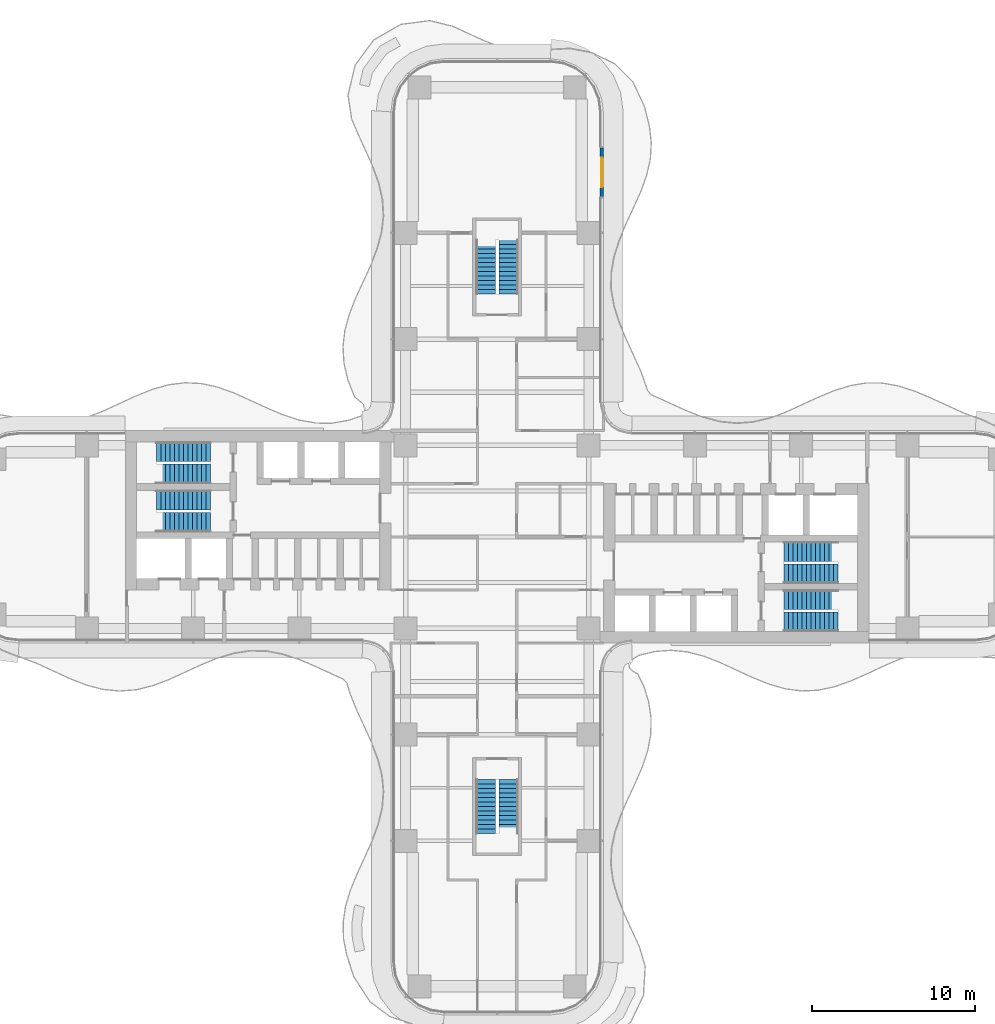
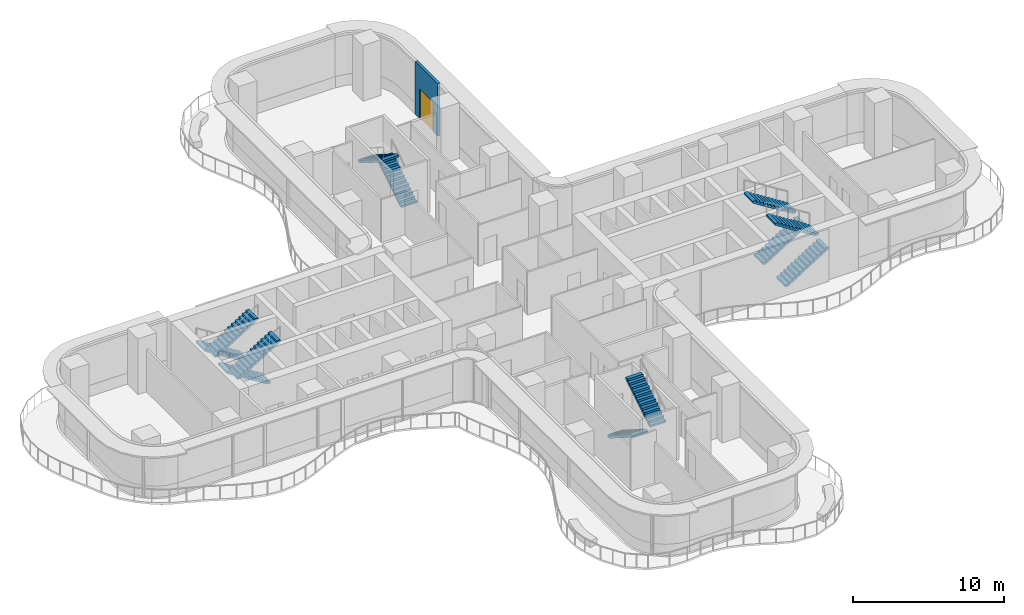
# One storey, part 20 of 22: 12 stair flights, 1 door, 1 wall, 1 opening, 6 elements without a shape of their own.
"""IFC4 building model written with IfcOpenShell, lengths in metres."""

from ifc_helpers import new_model, si_unit, direction, frame, frame_2d, origin, place, context, subcontext, project, spatial, polyline, rectangle, outline, extrude, source, transform, mapped, material, layer, layer_set, type_object, element, fill, aggregate, save


model = new_model("IFC4")

# Units and contexts
model_context = context("Model", 3, precision=1e-05, world=origin(), true_north=direction((0.0, 1.0)))
body_context = subcontext(model_context, "Body", "Model", "MODEL_VIEW")
ifc_project = project(units=[si_unit("LENGTHUNIT", "METRE"), si_unit("AREAUNIT", "SQUARE_METRE"), si_unit("VOLUMEUNIT", "CUBIC_METRE"), si_unit("PLANEANGLEUNIT", "RADIAN"), si_unit("MASSUNIT", "GRAM", prefix="KILO")], contexts=[model_context])

# Site, building, storey
site_placement = place(None, origin())
site = spatial("IfcSite", under=ifc_project, at=site_placement, CompositionType="ELEMENT")
building_placement = place(site_placement, origin())
building = spatial("IfcBuilding", under=site, at=building_placement, Name="Trellis Farm Tower", CompositionType="ELEMENT")
storey_placement = place(building_placement, frame((0.0, 0.0, 47.5)))
storey = spatial("IfcBuildingStorey", under=building, at=storey_placement, Name="L09", CompositionType="ELEMENT", Elevation=47.5)

# Wall, opening, door
ifc_material_1 = material(Name="Sandstone faced insulated wall", Category="masonry")
ifc_layer = layer(ifc_material_1, 0.199951171875)
ifc_layer_set = layer_set([ifc_layer], Name="EXTERNAL INFILL WALL 200")
wall_type = type_object("IfcWallType", Name="EXTERNAL INFILL WALL 200", PredefinedType="SOLIDWALL", material=ifc_layer_set)
shared_shape_1 = source(origin(), body_context, "Body", "SweptSolid", [
    extrude(rectangle(XDim=3.0, YDim=0.199951171875, at=frame_2d((1.5, 0.0))), origin(), (0.0, 0.0, 1.0), 4.25),
])
wall_placement = place(storey_placement, frame((6.39990234375, 20.800048828125, 0.0), z_axis=(0.0, 0.0, 1.0), x_axis=(0.0, 1.0, 0.0)))
wall = element("IfcWall", 1, at=wall_placement, inside=storey, type_object=wall_type, Name="EW1 01", PredefinedType="SOLIDWALL", context=body_context, shape_type="MappedRepresentation", body=[
    mapped(shared_shape_1, transform((0.0, 0.0, 0.0))),
])
shared_shape_2 = source(origin(), body_context, "Body", "SweptSolid", [
    extrude(rectangle(XDim=1.800048828125, YDim=2.39990234375, at=frame_2d((0.89990234375, 1.199951171875))), frame((0.0, 0.110107421875, 0.0), z_axis=(0.0, -1.0, 0.0), x_axis=(1.0, 0.0, 0.0)), (0.0, 0.0, 1.0), 0.22021484375),
])
opening_placement = place(wall_placement, frame((0.60009765625, 0.0, 0.0)))
opening = element("IfcOpeningElement", 2, at=opening_placement, cuts=wall, Name="Opening ED1", PredefinedType="OPENING", context=body_context, shape_type="MappedRepresentation", body=[
    mapped(shared_shape_2, transform((0.0, 0.0, 0.0))),
])
ifc_material_2 = material(Name="Aluminium framed glazed door", Category="aluminium")
door_type = type_object("IfcDoorType", Name="BALCONY DOOR 1800x2400", OperationType="DOUBLE_DOOR_SINGLE_SWING", PredefinedType="DOOR", material=ifc_material_2)
shared_shape_3 = source(origin(), body_context, "Body", "SweptSolid", [
    extrude(rectangle(XDim=1.800048828125, YDim=2.39990234375, at=frame_2d((0.89990234375, 1.199951171875))), frame((0.0, 0.02490234375, 0.0), z_axis=(0.0, -1.0, 0.0), x_axis=(1.0, 0.0, 0.0)), (0.0, 0.0, 1.0), 0.050048828125),
])
door_placement = place(opening_placement, origin())
door = element("IfcDoor", 3, at=door_placement, inside=storey, type_object=door_type, Name="Balcony door", OperationType="DOUBLE_DOOR_SINGLE_SWING", OverallHeight=2.39990234375, OverallWidth=1.800048828125, PredefinedType="DOOR", context=body_context, shape_type="MappedRepresentation", body=[
    mapped(shared_shape_3, transform((0.0, 0.0, 0.0))),
])
fill(opening, door)

# Stair, stair flights
ifc_material_3 = material(Name="Concrete C50/60", Category="concrete")
stair_type = type_object("IfcStairType", Name="CORE EXIT STAIR 26 RISERS 173 MM", PredefinedType="HALF_TURN_STAIR", material=ifc_material_3)
placement = place(storey_placement, origin())
stair_1 = element("IfcStair", 4, at=placement, inside=storey, type_object=stair_type, Name="Exit stair N", PredefinedType="HALF_TURN_STAIR")
stair_flight_type = type_object("IfcStairFlightType", Name="STAIR FLIGHT 13 RISERS 173 MM", PredefinedType="STRAIGHT", material=ifc_material_3)
shared_shape_4 = source(origin(), body_context, "Body", "SweptSolid", [
    extrude(outline(polyline([(0.0, 0.0), (0.0, 0.173095703125), (0.27490234375, 0.173095703125), (0.27490234375, 0.34619140625), (0.550048828125, 0.34619140625), (0.550048828125, 0.519287109375), (0.824951171875, 0.519287109375), (0.824951171875, 0.6923828125), (1.10009765625, 0.6923828125), (1.10009765625, 0.865478515625), (1.375, 0.865478515625), (1.375, 1.03857421875), (1.64990234375, 1.03857421875), (1.64990234375, 1.21142578125), (1.925048828125, 1.21142578125), (1.925048828125, 1.384521484375), (2.199951171875, 1.384521484375), (2.199951171875, 1.5576171875), (2.47509765625, 1.5576171875), (2.47509765625, 1.730712890625), (2.75, 1.730712890625), (2.75, 1.90380859375), (3.02490234375, 1.90380859375), (3.02490234375, 2.076904296875), (3.300048828125, 2.076904296875), (3.300048828125, 2.25), (3.300048828125, 1.92333984375), (0.243896484375, 0.0), (0.0, 0.0)])), frame((0.0, 0.60009765625, 0.0), z_axis=(0.0, -1.0, 0.0), x_axis=(1.0, 0.0, 0.0)), (0.0, 0.0, 1.0), 1.199951171875),
])
stair_flight_1_placement = place(storey_placement, frame((0.699951171875, 14.85009765625, 0.0), z_axis=(0.0, 0.0, 1.0), x_axis=(0.0, 1.0, 0.0)))
stair_flight_1 = element("IfcStairFlight", 5, at=stair_flight_1_placement, type_object=stair_flight_type, Name="STN flight 1", NumberOfRisers=13, NumberOfTreads=12, PredefinedType="STRAIGHT", RiserHeight=0.173076923, TreadLength=0.275, context=body_context, shape_type="MappedRepresentation", body=[
    mapped(shared_shape_4, transform((0.0, 0.0, 0.0))),
])
stair_flight_2_placement = place(storey_placement, frame((-0.699951171875, 18.14990234375, 2.25), z_axis=(0.0, 0.0, 1.0), x_axis=(0.0, -1.0, 0.0)))
stair_flight_2 = element("IfcStairFlight", 6, at=stair_flight_2_placement, type_object=stair_flight_type, Name="STN flight 2", NumberOfRisers=13, NumberOfTreads=12, PredefinedType="STRAIGHT", RiserHeight=0.173076923, TreadLength=0.275, context=body_context, shape_type="MappedRepresentation", body=[
    mapped(shared_shape_4, transform((0.0, 0.0, 0.0))),
])
aggregate(stair_1, [stair_flight_1, stair_flight_2])

stair_2 = element("IfcStair", 7, at=placement, inside=storey, type_object=stair_type, Name="Exit stair S", PredefinedType="HALF_TURN_STAIR")
stair_flight_3_placement = place(storey_placement, frame((-0.699951171875, -14.85009765625, 0.0), z_axis=(0.0, 0.0, 1.0), x_axis=(0.0, -1.0, 0.0)))
stair_flight_3 = element("IfcStairFlight", 8, at=stair_flight_3_placement, type_object=stair_flight_type, Name="STS flight 1", NumberOfRisers=13, NumberOfTreads=12, PredefinedType="STRAIGHT", RiserHeight=0.173076923, TreadLength=0.275, context=body_context, shape_type="MappedRepresentation", body=[
    mapped(shared_shape_4, transform((0.0, 0.0, 0.0))),
])
stair_flight_4_placement = place(storey_placement, frame((0.699951171875, -18.14990234375, 2.25), z_axis=(0.0, 0.0, 1.0), x_axis=(0.0, 1.0, 0.0)))
stair_flight_4 = element("IfcStairFlight", 9, at=stair_flight_4_placement, type_object=stair_flight_type, Name="STS flight 2", NumberOfRisers=13, NumberOfTreads=12, PredefinedType="STRAIGHT", RiserHeight=0.173076923, TreadLength=0.275, context=body_context, shape_type="MappedRepresentation", body=[
    mapped(shared_shape_4, transform((0.0, 0.0, 0.0))),
])
aggregate(stair_2, [stair_flight_3, stair_flight_4])

stair_3 = element("IfcStair", 10, at=placement, inside=storey, type_object=stair_type, Name="Exit stair E1", PredefinedType="HALF_TURN_STAIR")
stair_flight_5_placement = place(storey_placement, frame((17.550048828125, -5.199951171875, 0.0), z_axis=(0.0, 0.0, 1.0), x_axis=(1.0, 0.0, 0.0)))
stair_flight_5 = element("IfcStairFlight", 11, at=stair_flight_5_placement, type_object=stair_flight_type, Name="STE1 flight 1", NumberOfRisers=13, NumberOfTreads=12, PredefinedType="STRAIGHT", RiserHeight=0.173076923, TreadLength=0.275, context=body_context, shape_type="MappedRepresentation", body=[
    mapped(shared_shape_4, transform((0.0, 0.0, 0.0))),
])
stair_flight_6_placement = place(storey_placement, frame((20.85009765625, -3.85009765625, 2.25), z_axis=(0.0, 0.0, 1.0), x_axis=(-1.0, 0.0, 0.0)))
stair_flight_6 = element("IfcStairFlight", 12, at=stair_flight_6_placement, type_object=stair_flight_type, Name="STE1 flight 2", NumberOfRisers=13, NumberOfTreads=12, PredefinedType="STRAIGHT", RiserHeight=0.173076923, TreadLength=0.275, context=body_context, shape_type="MappedRepresentation", body=[
    mapped(shared_shape_4, transform((0.0, 0.0, 0.0))),
])
aggregate(stair_3, [stair_flight_5, stair_flight_6])

stair_4 = element("IfcStair", 13, at=placement, inside=storey, type_object=stair_type, Name="Exit stair E2", PredefinedType="HALF_TURN_STAIR")
stair_flight_7_placement = place(storey_placement, frame((17.550048828125, -2.25, 0.0), z_axis=(0.0, 0.0, 1.0), x_axis=(1.0, 0.0, 0.0)))
stair_flight_7 = element("IfcStairFlight", 14, at=stair_flight_7_placement, type_object=stair_flight_type, Name="STE2 flight 1", NumberOfRisers=13, NumberOfTreads=12, PredefinedType="STRAIGHT", RiserHeight=0.173076923, TreadLength=0.275, context=body_context, shape_type="MappedRepresentation", body=[
    mapped(shared_shape_4, transform((0.0, 0.0, 0.0))),
])
stair_flight_8_placement = place(storey_placement, frame((20.85009765625, -0.89990234375, 2.25), z_axis=(0.0, 0.0, 1.0), x_axis=(-1.0, 0.0, 0.0)))
stair_flight_8 = element("IfcStairFlight", 15, at=stair_flight_8_placement, type_object=stair_flight_type, Name="STE2 flight 2", NumberOfRisers=13, NumberOfTreads=12, PredefinedType="STRAIGHT", RiserHeight=0.173076923, TreadLength=0.275, context=body_context, shape_type="MappedRepresentation", body=[
    mapped(shared_shape_4, transform((0.0, 0.0, 0.0))),
])
aggregate(stair_4, [stair_flight_7, stair_flight_8])

stair_5 = element("IfcStair", 16, at=placement, inside=storey, type_object=stair_type, Name="Exit stair W1", PredefinedType="HALF_TURN_STAIR")
stair_flight_9_placement = place(storey_placement, frame((-17.550048828125, 5.199951171875, 0.0), z_axis=(0.0, 0.0, 1.0), x_axis=(-1.0, 0.0, 0.0)))
stair_flight_9 = element("IfcStairFlight", 17, at=stair_flight_9_placement, type_object=stair_flight_type, Name="STW1 flight 1", NumberOfRisers=13, NumberOfTreads=12, PredefinedType="STRAIGHT", RiserHeight=0.173076923, TreadLength=0.275, context=body_context, shape_type="MappedRepresentation", body=[
    mapped(shared_shape_4, transform((0.0, 0.0, 0.0))),
])
stair_flight_10_placement = place(storey_placement, frame((-20.85009765625, 3.85009765625, 2.25), z_axis=(0.0, 0.0, 1.0), x_axis=(1.0, 0.0, 0.0)))
stair_flight_10 = element("IfcStairFlight", 18, at=stair_flight_10_placement, type_object=stair_flight_type, Name="STW1 flight 2", NumberOfRisers=13, NumberOfTreads=12, PredefinedType="STRAIGHT", RiserHeight=0.173076923, TreadLength=0.275, context=body_context, shape_type="MappedRepresentation", body=[
    mapped(shared_shape_4, transform((0.0, 0.0, 0.0))),
])
aggregate(stair_5, [stair_flight_9, stair_flight_10])

stair_6 = element("IfcStair", 19, at=placement, inside=storey, type_object=stair_type, Name="Exit stair W2", PredefinedType="HALF_TURN_STAIR")
stair_flight_11_placement = place(storey_placement, frame((-17.550048828125, 2.25, 0.0), z_axis=(0.0, 0.0, 1.0), x_axis=(-1.0, 0.0, 0.0)))
stair_flight_11 = element("IfcStairFlight", 20, at=stair_flight_11_placement, type_object=stair_flight_type, Name="STW2 flight 1", NumberOfRisers=13, NumberOfTreads=12, PredefinedType="STRAIGHT", RiserHeight=0.173076923, TreadLength=0.275, context=body_context, shape_type="MappedRepresentation", body=[
    mapped(shared_shape_4, transform((0.0, 0.0, 0.0))),
])
stair_flight_12_placement = place(storey_placement, frame((-20.85009765625, 0.89990234375, 2.25), z_axis=(0.0, 0.0, 1.0), x_axis=(1.0, 0.0, 0.0)))
stair_flight_12 = element("IfcStairFlight", 21, at=stair_flight_12_placement, type_object=stair_flight_type, Name="STW2 flight 2", NumberOfRisers=13, NumberOfTreads=12, PredefinedType="STRAIGHT", RiserHeight=0.173076923, TreadLength=0.275, context=body_context, shape_type="MappedRepresentation", body=[
    mapped(shared_shape_4, transform((0.0, 0.0, 0.0))),
])
aggregate(stair_6, [stair_flight_11, stair_flight_12])

save(model, "model.ifc")
